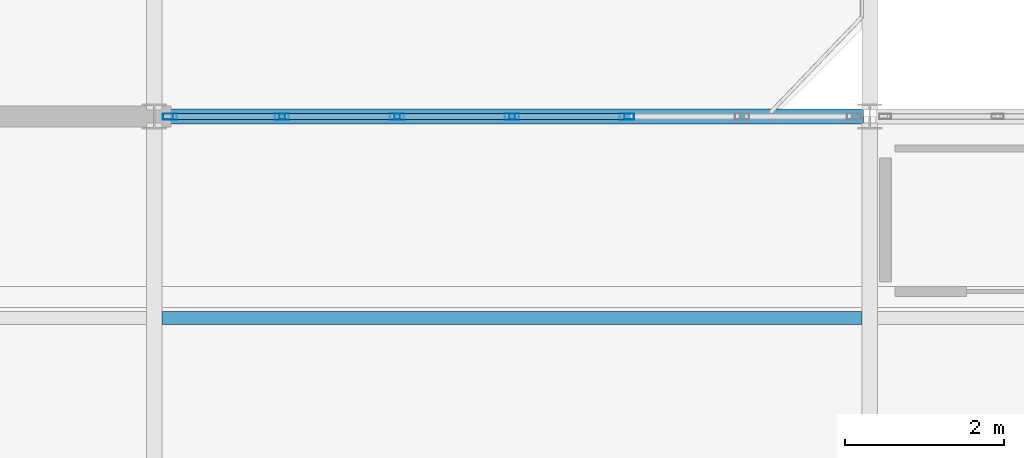
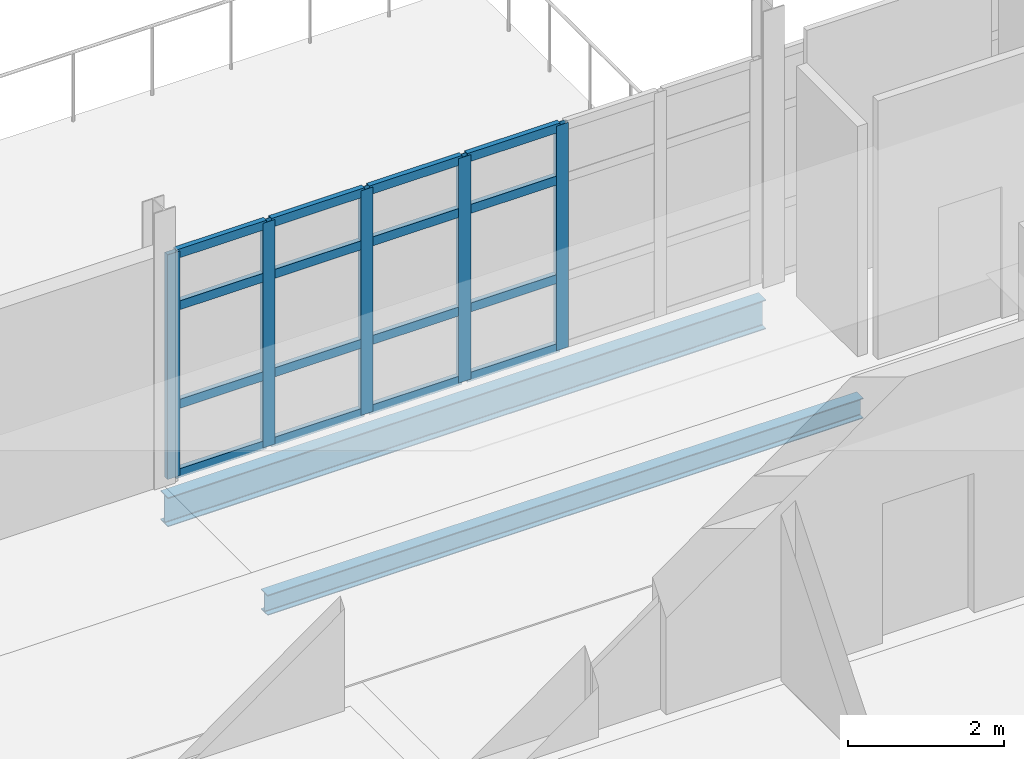
# One storey, part 62 of 166: 21 members, 2 beams, 1 element without a shape of its own.
"""IFC4 building model written with IfcOpenShell, lengths in metres."""

from ifc_helpers import new_model, si_unit, direction, frame, origin, origin_2d, place, context, subcontext, project, spatial, hollow_rectangle, i_section, extrude, material, material_profile, profile_set, type_object, element, aggregate, save


model = new_model("IFC4")

# Units and contexts
model_context = context("Model", 3, precision=1e-05, world=origin(), true_north=direction((0.0, 1.0)))
body_context = subcontext(model_context, "Body", "Model", "MODEL_VIEW")
ifc_project = project(units=[si_unit("LENGTHUNIT", "METRE"), si_unit("AREAUNIT", "SQUARE_METRE"), si_unit("VOLUMEUNIT", "CUBIC_METRE"), si_unit("PLANEANGLEUNIT", "RADIAN"), si_unit("MASSUNIT", "GRAM", prefix="KILO")], contexts=[model_context])

# Site, building, storey
site_placement = place(None, origin())
site = spatial("IfcSite", under=ifc_project, at=site_placement, CompositionType="ELEMENT")
building_placement = place(site_placement, origin())
building = spatial("IfcBuilding", under=site, at=building_placement, Name="Caisbarro Railhouse Central Library", CompositionType="ELEMENT")
storey_placement = place(building_placement, frame((0.0, 0.0, 9.360107421875)))
storey = spatial("IfcBuildingStorey", under=building, at=storey_placement, Name="L02", CompositionType="ELEMENT", Elevation=9.360107421875)

# Beams
ifc_material_1 = material(Name="Steel ASTM A572 Grade 50", Category="steel")
ifc_material_profile_1 = material_profile(ifc_material_1, i_section(OverallWidth=0.1669921875, OverallDepth=0.31689453125, WebThickness=0.007568359375, FlangeThickness=0.01318359375, FilletRadius=0.011962890625, at=origin_2d()), Name="W310X52.0")
ifc_profile_set_1 = profile_set([ifc_material_profile_1], Name="Steel ASTM A572 Grade 50")
beam_type_1 = type_object("IfcBeamType", Name="BM-J02", PredefinedType="JOIST", material=ifc_profile_set_1)
beam_1_placement = place(storey_placement, frame((90.096923828125, 20.2666015625, -0.398681640625), z_axis=(1.0, 0.0, 0.0), x_axis=(0.0, 1.0, 0.0)))
element("IfcBeam", 1, at=beam_1_placement, inside=storey, type_object=beam_type_1, Name="J02 beam L02 #1344", PredefinedType="JOIST", context=body_context, shape_type="SweptSolid", body=[
    extrude(i_section(OverallWidth=0.1669921875, OverallDepth=0.31689453125, WebThickness=0.007568359375, FlangeThickness=0.01318359375, FilletRadius=0.011962890625, at=origin_2d()), origin(), (0.0, 0.0, 1.0), 8.80615234375),
])
ifc_material_profile_2 = material_profile(ifc_material_1, i_section(OverallWidth=0.18994140625, OverallDepth=0.45703125, WebThickness=0.009033203125, FlangeThickness=0.014404296875, FilletRadius=0.01806640625, at=origin_2d()), Name="W460X74.0")
ifc_profile_set_2 = profile_set([ifc_material_profile_2], Name="Steel ASTM A572 Grade 50")
beam_type_2 = type_object("IfcBeamType", Name="BM-SP01", PredefinedType="SPANDREL", material=ifc_profile_set_2)
beam_2_placement = place(storey_placement, frame((90.080078125, 22.800048828125, -0.468505859375), z_axis=(1.0, 0.0, 0.0), x_axis=(0.0, 1.0, 0.0)))
element("IfcBeam", 2, at=beam_2_placement, inside=storey, type_object=beam_type_2, Name="SP01 beam L02 #1300", PredefinedType="SPANDREL", context=body_context, shape_type="SweptSolid", body=[
    extrude(i_section(OverallWidth=0.18994140625, OverallDepth=0.45703125, WebThickness=0.009033203125, FlangeThickness=0.014404296875, FilletRadius=0.01806640625, at=origin_2d()), origin(), (0.0, 0.0, 1.0), 8.83984375),
])

# Curtain wall, members
ifc_material_2 = material(Name="Anodised architectural aluminium", Category="aluminium")
curtain_wall_type = type_object("IfcCurtainWallType", Name="CW-CW02", PredefinedType="NOTDEFINED", material=ifc_material_2)
curtain_wall_placement = place(storey_placement, origin())
curtain_wall = element("IfcCurtainWall", 3, at=curtain_wall_placement, inside=storey, type_object=curtain_wall_type, Name="CW02 curtain wall L02 #60", PredefinedType="NOTDEFINED")
ifc_material_profile_3 = material_profile(ifc_material_2, hollow_rectangle(XDim=0.074951171875, YDim=0.179931640625, WallThickness=0.00439453125, at=origin_2d()), Name="ALU-MUL-75X180")
ifc_profile_set_3 = profile_set([ifc_material_profile_3], Name="Anodised architectural aluminium")
member_type_1 = type_object("IfcMemberType", Name="CWM-M01", PredefinedType="MULLION", material=ifc_profile_set_3)
member_1_placement = place(storey_placement, frame((90.197509765625, 22.800048828125, 0.0), z_axis=(0.0, 0.0, 1.0), x_axis=(0.0, 1.0, 0.0)))
member_1 = element("IfcMember", 4, at=member_1_placement, type_object=member_type_1, Name="CW02 mullion 1", PredefinedType="MULLION", context=body_context, shape_type="SweptSolid", body=[
    extrude(hollow_rectangle(XDim=0.074951171875, YDim=0.179931640625, WallThickness=0.00439453125, at=origin_2d()), origin(), (0.0, 0.0, 1.0), 3.510009765625),
])
member_2_placement = place(storey_placement, frame((91.606689453125, 22.800048828125, 0.0), z_axis=(0.0, 0.0, 1.0), x_axis=(0.0, 1.0, 0.0)))
member_2 = element("IfcMember", 5, at=member_2_placement, type_object=member_type_1, Name="CW02 mullion 2", PredefinedType="MULLION", context=body_context, shape_type="SweptSolid", body=[
    extrude(hollow_rectangle(XDim=0.074951171875, YDim=0.179931640625, WallThickness=0.00439453125, at=origin_2d()), origin(), (0.0, 0.0, 1.0), 3.510009765625),
])
member_3_placement = place(storey_placement, frame((93.05322265625, 22.800048828125, 0.0), z_axis=(0.0, 0.0, 1.0), x_axis=(0.0, 1.0, 0.0)))
member_3 = element("IfcMember", 6, at=member_3_placement, type_object=member_type_1, Name="CW02 mullion 3", PredefinedType="MULLION", context=body_context, shape_type="SweptSolid", body=[
    extrude(hollow_rectangle(XDim=0.074951171875, YDim=0.179931640625, WallThickness=0.00439453125, at=origin_2d()), origin(), (0.0, 0.0, 1.0), 3.510009765625),
])
member_4_placement = place(storey_placement, frame((94.5, 22.800048828125, 0.0), z_axis=(0.0, 0.0, 1.0), x_axis=(0.0, 1.0, 0.0)))
member_4 = element("IfcMember", 7, at=member_4_placement, type_object=member_type_1, Name="CW02 mullion 4", PredefinedType="MULLION", context=body_context, shape_type="SweptSolid", body=[
    extrude(hollow_rectangle(XDim=0.074951171875, YDim=0.179931640625, WallThickness=0.00439453125, at=origin_2d()), origin(), (0.0, 0.0, 1.0), 3.510009765625),
])
member_5_placement = place(storey_placement, frame((95.94677734375, 22.800048828125, 0.0), z_axis=(0.0, 0.0, 1.0), x_axis=(0.0, 1.0, 0.0)))
member_5 = element("IfcMember", 8, at=member_5_placement, type_object=member_type_1, Name="CW02 mullion 5", PredefinedType="MULLION", context=body_context, shape_type="SweptSolid", body=[
    extrude(hollow_rectangle(XDim=0.074951171875, YDim=0.179931640625, WallThickness=0.00439453125, at=origin_2d()), origin(), (0.0, 0.0, 1.0), 3.510009765625),
])
ifc_material_profile_4 = material_profile(ifc_material_2, hollow_rectangle(XDim=0.074951171875, YDim=0.139892578125, WallThickness=0.00390625, at=origin_2d()), Name="ALU-TRN-75X140")
ifc_profile_set_4 = profile_set([ifc_material_profile_4], Name="Anodised architectural aluminium")
member_type_2 = type_object("IfcMemberType", Name="CWT-T01", PredefinedType="USERDEFINED", material=ifc_profile_set_4)
member_6_placement = place(storey_placement, frame((90.235107421875, 22.800048828125, 0.037353515625), z_axis=(1.0, 0.0, 0.0), x_axis=(0.0, 1.0, 0.0)))
member_6 = element("IfcMember", 9, at=member_6_placement, type_object=member_type_2, Name="CW02 transom 1.1", ObjectType="TRANSOM", PredefinedType="USERDEFINED", context=body_context, shape_type="SweptSolid", body=[
    extrude(hollow_rectangle(XDim=0.074951171875, YDim=0.139892578125, WallThickness=0.00390625, at=origin_2d()), origin(), (0.0, 0.0, 1.0), 1.333984375),
])
member_7_placement = place(storey_placement, frame((90.235107421875, 22.800048828125, 1.119873046875), z_axis=(1.0, 0.0, 0.0), x_axis=(0.0, 1.0, 0.0)))
member_7 = element("IfcMember", 10, at=member_7_placement, type_object=member_type_2, Name="CW02 transom 1.2", ObjectType="TRANSOM", PredefinedType="USERDEFINED", context=body_context, shape_type="SweptSolid", body=[
    extrude(hollow_rectangle(XDim=0.074951171875, YDim=0.139892578125, WallThickness=0.00390625, at=origin_2d()), origin(), (0.0, 0.0, 1.0), 1.333984375),
])
member_8_placement = place(storey_placement, frame((90.235107421875, 22.800048828125, 2.659912109375), z_axis=(1.0, 0.0, 0.0), x_axis=(0.0, 1.0, 0.0)))
member_8 = element("IfcMember", 11, at=member_8_placement, type_object=member_type_2, Name="CW02 transom 1.3", ObjectType="TRANSOM", PredefinedType="USERDEFINED", context=body_context, shape_type="SweptSolid", body=[
    extrude(hollow_rectangle(XDim=0.074951171875, YDim=0.139892578125, WallThickness=0.00390625, at=origin_2d()), origin(), (0.0, 0.0, 1.0), 1.333984375),
])
member_9_placement = place(storey_placement, frame((90.235107421875, 22.800048828125, 3.472412109375), z_axis=(1.0, 0.0, 0.0), x_axis=(0.0, 1.0, 0.0)))
member_9 = element("IfcMember", 12, at=member_9_placement, type_object=member_type_2, Name="CW02 transom 1.4", ObjectType="TRANSOM", PredefinedType="USERDEFINED", context=body_context, shape_type="SweptSolid", body=[
    extrude(hollow_rectangle(XDim=0.074951171875, YDim=0.139892578125, WallThickness=0.00390625, at=origin_2d()), origin(), (0.0, 0.0, 1.0), 1.333984375),
])
member_10_placement = place(storey_placement, frame((91.644287109375, 22.800048828125, 0.037353515625), z_axis=(1.0, 0.0, 0.0), x_axis=(0.0, 1.0, 0.0)))
member_10 = element("IfcMember", 13, at=member_10_placement, type_object=member_type_2, Name="CW02 transom 2.1", ObjectType="TRANSOM", PredefinedType="USERDEFINED", context=body_context, shape_type="SweptSolid", body=[
    extrude(hollow_rectangle(XDim=0.074951171875, YDim=0.139892578125, WallThickness=0.00390625, at=origin_2d()), origin(), (0.0, 0.0, 1.0), 1.37158203125),
])
member_11_placement = place(storey_placement, frame((91.644287109375, 22.800048828125, 1.119873046875), z_axis=(1.0, 0.0, 0.0), x_axis=(0.0, 1.0, 0.0)))
member_11 = element("IfcMember", 14, at=member_11_placement, type_object=member_type_2, Name="CW02 transom 2.2", ObjectType="TRANSOM", PredefinedType="USERDEFINED", context=body_context, shape_type="SweptSolid", body=[
    extrude(hollow_rectangle(XDim=0.074951171875, YDim=0.139892578125, WallThickness=0.00390625, at=origin_2d()), origin(), (0.0, 0.0, 1.0), 1.37158203125),
])
member_12_placement = place(storey_placement, frame((91.644287109375, 22.800048828125, 2.659912109375), z_axis=(1.0, 0.0, 0.0), x_axis=(0.0, 1.0, 0.0)))
member_12 = element("IfcMember", 15, at=member_12_placement, type_object=member_type_2, Name="CW02 transom 2.3", ObjectType="TRANSOM", PredefinedType="USERDEFINED", context=body_context, shape_type="SweptSolid", body=[
    extrude(hollow_rectangle(XDim=0.074951171875, YDim=0.139892578125, WallThickness=0.00390625, at=origin_2d()), origin(), (0.0, 0.0, 1.0), 1.37158203125),
])
member_13_placement = place(storey_placement, frame((91.644287109375, 22.800048828125, 3.472412109375), z_axis=(1.0, 0.0, 0.0), x_axis=(0.0, 1.0, 0.0)))
member_13 = element("IfcMember", 16, at=member_13_placement, type_object=member_type_2, Name="CW02 transom 2.4", ObjectType="TRANSOM", PredefinedType="USERDEFINED", context=body_context, shape_type="SweptSolid", body=[
    extrude(hollow_rectangle(XDim=0.074951171875, YDim=0.139892578125, WallThickness=0.00390625, at=origin_2d()), origin(), (0.0, 0.0, 1.0), 1.37158203125),
])
member_14_placement = place(storey_placement, frame((93.0908203125, 22.800048828125, 0.037353515625), z_axis=(1.0, 0.0, 0.0), x_axis=(0.0, 1.0, 0.0)))
member_14 = element("IfcMember", 17, at=member_14_placement, type_object=member_type_2, Name="CW02 transom 3.1", ObjectType="TRANSOM", PredefinedType="USERDEFINED", context=body_context, shape_type="SweptSolid", body=[
    extrude(hollow_rectangle(XDim=0.074951171875, YDim=0.139892578125, WallThickness=0.00390625, at=origin_2d()), origin(), (0.0, 0.0, 1.0), 1.37158203125),
])
member_15_placement = place(storey_placement, frame((93.0908203125, 22.800048828125, 1.119873046875), z_axis=(1.0, 0.0, 0.0), x_axis=(0.0, 1.0, 0.0)))
member_15 = element("IfcMember", 18, at=member_15_placement, type_object=member_type_2, Name="CW02 transom 3.2", ObjectType="TRANSOM", PredefinedType="USERDEFINED", context=body_context, shape_type="SweptSolid", body=[
    extrude(hollow_rectangle(XDim=0.074951171875, YDim=0.139892578125, WallThickness=0.00390625, at=origin_2d()), origin(), (0.0, 0.0, 1.0), 1.37158203125),
])
member_16_placement = place(storey_placement, frame((93.0908203125, 22.800048828125, 2.659912109375), z_axis=(1.0, 0.0, 0.0), x_axis=(0.0, 1.0, 0.0)))
member_16 = element("IfcMember", 19, at=member_16_placement, type_object=member_type_2, Name="CW02 transom 3.3", ObjectType="TRANSOM", PredefinedType="USERDEFINED", context=body_context, shape_type="SweptSolid", body=[
    extrude(hollow_rectangle(XDim=0.074951171875, YDim=0.139892578125, WallThickness=0.00390625, at=origin_2d()), origin(), (0.0, 0.0, 1.0), 1.37158203125),
])
member_17_placement = place(storey_placement, frame((93.0908203125, 22.800048828125, 3.472412109375), z_axis=(1.0, 0.0, 0.0), x_axis=(0.0, 1.0, 0.0)))
member_17 = element("IfcMember", 20, at=member_17_placement, type_object=member_type_2, Name="CW02 transom 3.4", ObjectType="TRANSOM", PredefinedType="USERDEFINED", context=body_context, shape_type="SweptSolid", body=[
    extrude(hollow_rectangle(XDim=0.074951171875, YDim=0.139892578125, WallThickness=0.00390625, at=origin_2d()), origin(), (0.0, 0.0, 1.0), 1.37158203125),
])
member_18_placement = place(storey_placement, frame((94.53759765625, 22.800048828125, 0.037353515625), z_axis=(1.0, 0.0, 0.0), x_axis=(0.0, 1.0, 0.0)))
member_18 = element("IfcMember", 21, at=member_18_placement, type_object=member_type_2, Name="CW02 transom 4.1", ObjectType="TRANSOM", PredefinedType="USERDEFINED", context=body_context, shape_type="SweptSolid", body=[
    extrude(hollow_rectangle(XDim=0.074951171875, YDim=0.139892578125, WallThickness=0.00390625, at=origin_2d()), origin(), (0.0, 0.0, 1.0), 1.37158203125),
])
member_19_placement = place(storey_placement, frame((94.53759765625, 22.800048828125, 1.119873046875), z_axis=(1.0, 0.0, 0.0), x_axis=(0.0, 1.0, 0.0)))
member_19 = element("IfcMember", 22, at=member_19_placement, type_object=member_type_2, Name="CW02 transom 4.2", ObjectType="TRANSOM", PredefinedType="USERDEFINED", context=body_context, shape_type="SweptSolid", body=[
    extrude(hollow_rectangle(XDim=0.074951171875, YDim=0.139892578125, WallThickness=0.00390625, at=origin_2d()), origin(), (0.0, 0.0, 1.0), 1.37158203125),
])
member_20_placement = place(storey_placement, frame((94.53759765625, 22.800048828125, 2.659912109375), z_axis=(1.0, 0.0, 0.0), x_axis=(0.0, 1.0, 0.0)))
member_20 = element("IfcMember", 23, at=member_20_placement, type_object=member_type_2, Name="CW02 transom 4.3", ObjectType="TRANSOM", PredefinedType="USERDEFINED", context=body_context, shape_type="SweptSolid", body=[
    extrude(hollow_rectangle(XDim=0.074951171875, YDim=0.139892578125, WallThickness=0.00390625, at=origin_2d()), origin(), (0.0, 0.0, 1.0), 1.37158203125),
])
member_21_placement = place(storey_placement, frame((94.53759765625, 22.800048828125, 3.472412109375), z_axis=(1.0, 0.0, 0.0), x_axis=(0.0, 1.0, 0.0)))
member_21 = element("IfcMember", 24, at=member_21_placement, type_object=member_type_2, Name="CW02 transom 4.4", ObjectType="TRANSOM", PredefinedType="USERDEFINED", context=body_context, shape_type="SweptSolid", body=[
    extrude(hollow_rectangle(XDim=0.074951171875, YDim=0.139892578125, WallThickness=0.00390625, at=origin_2d()), origin(), (0.0, 0.0, 1.0), 1.37158203125),
])
aggregate(curtain_wall, [member_1, member_2, member_3, member_4, member_5, member_6, member_7, member_8, member_9, member_10, member_11, member_12, member_13, member_14, member_15, member_16, member_17, member_18, member_19, member_20, member_21])

save(model, "model.ifc")
